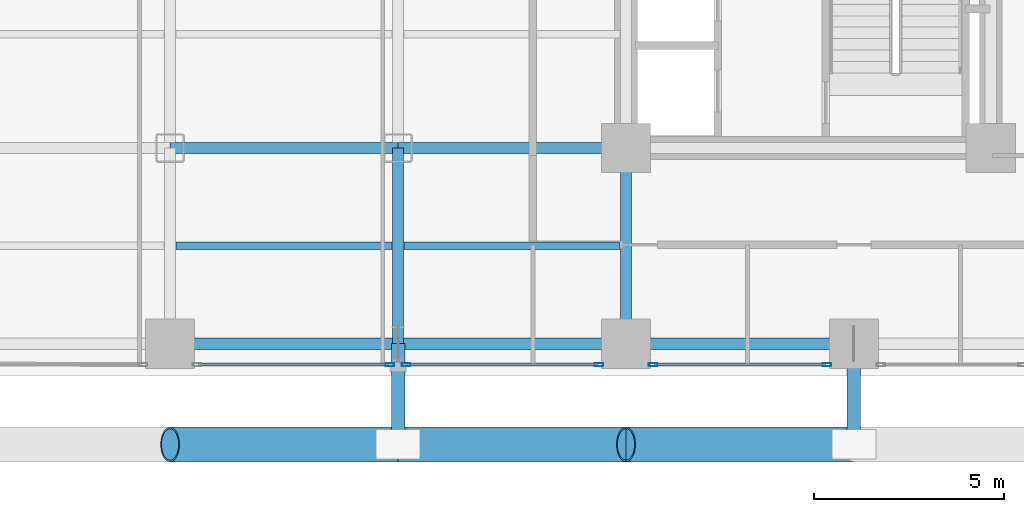
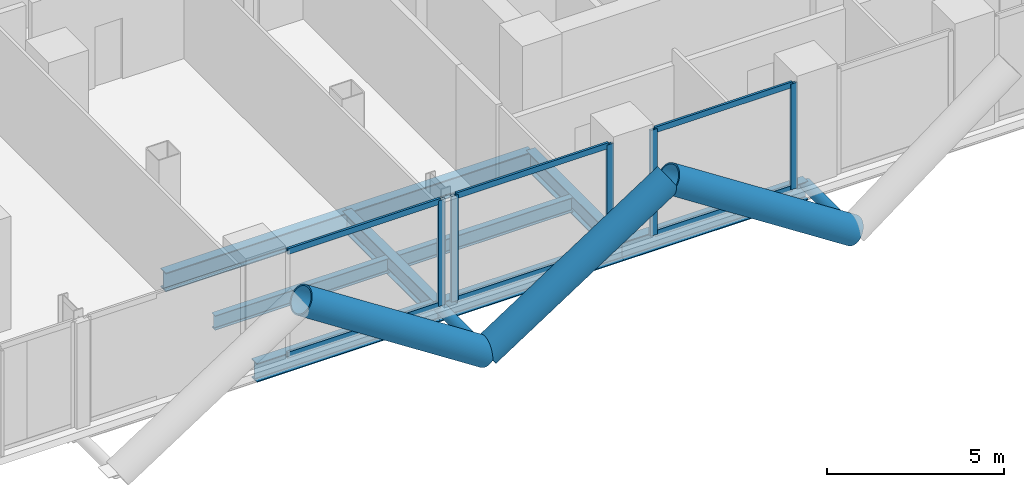
# One storey, part 3 of 27: 16 members, 9 beams, 3 elements without a shape of their own.
"""IFC4 building model written with IfcOpenShell, lengths in metres."""

from ifc_helpers import new_model, si_unit, direction, frame, origin, origin_2d, place, context, subcontext, project, spatial, hollow_rectangle, hollow_circle, i_section, extrude, material, layer, layer_set, material_profile, profile_set, type_object, element, aggregate, save


model = new_model("IFC4")

# Units and contexts
model_context = context("Model", 3, precision=1e-05, world=origin(), true_north=direction((0.0, 1.0)))
body_context = subcontext(model_context, "Body", "Model", "MODEL_VIEW")
ifc_project = project(units=[si_unit("LENGTHUNIT", "METRE"), si_unit("AREAUNIT", "SQUARE_METRE"), si_unit("VOLUMEUNIT", "CUBIC_METRE"), si_unit("PLANEANGLEUNIT", "RADIAN"), si_unit("MASSUNIT", "GRAM", prefix="KILO"), si_unit("THERMODYNAMICTEMPERATUREUNIT", "KELVIN"), si_unit("POWERUNIT", "WATT")], contexts=[model_context])

# Site, building, storey
site_placement = place(None, origin())
site = spatial("IfcSite", under=ifc_project, at=site_placement, CompositionType="ELEMENT")
building_placement = place(site_placement, origin())
building = spatial("IfcBuilding", under=site, at=building_placement, Name="Svarakhadi Broadcast Tower", CompositionType="ELEMENT")
storey_placement = place(building_placement, frame((0.0, 0.0, 87.0)))
storey = spatial("IfcBuildingStorey", under=building, at=storey_placement, Name="L20", CompositionType="ELEMENT", Elevation=87.0)

# Beams
ifc_material_1 = material(Name="Steel S355J2 (IS 2062 E350C)", Category="steel")
ifc_material_profile_1 = material_profile(ifc_material_1, i_section(OverallWidth=0.199951171875, OverallDepth=0.5, WebThickness=0.01025390625, FlangeThickness=0.01611328125, FilletRadius=0.02099609375, at=origin_2d()), Name="NPB 500x200x91")
ifc_profile_set_1 = profile_set([ifc_material_profile_1], Name="Steel S355J2 (IS 2062 E350C)")
beam_type_1 = type_object("IfcBeamType", Name="Beam_NPB500", PredefinedType="BEAM", material=ifc_profile_set_1)
for number, where, z_axis, x_axis, name in (
    (1, (12.159912109375, 3.425048828125, -0.5), (1.0, 0.0, 0.0), (0.0, 1.0, 0.0), "L20 Secondary Composite Beam SB013"),
    (2, (18.159912109375, 3.425048828125, -0.5), (1.0, 0.0, 0.0), (0.0, 1.0, 0.0), "L20 Secondary Composite Beam SB019"),
):
    element("IfcBeam", number, at=place(storey_placement, frame(where, z_axis=z_axis, x_axis=x_axis)), inside=storey, type_object=beam_type_1, Name=name, PredefinedType="BEAM", context=body_context, shape_type="SweptSolid", body=[
        extrude(i_section(OverallWidth=0.199951171875, OverallDepth=0.5, WebThickness=0.01025390625, FlangeThickness=0.01611328125, FilletRadius=0.02099609375, at=origin_2d()), origin(), (0.0, 0.0, 1.0), 5.68017578125),
    ])

# Curtain wall, members
ifc_material_2 = material(Name="Anodised Bronze Aluminium AA 6063-T6", Category="aluminium")
ifc_layer = layer(ifc_material_2, 0.219970703125)
ifc_layer_set = layer_set([ifc_layer], Name="Anodised Bronze Aluminium AA 6063-T6")
curtain_wall_type = type_object("IfcCurtainWallType", Name="CW_Sys_02", PredefinedType="NOTDEFINED", material=ifc_layer_set)
curtain_wall_1_placement = place(storey_placement, origin())
curtain_wall_1 = element("IfcCurtainWall", 3, at=curtain_wall_1_placement, inside=storey, type_object=curtain_wall_type, Name="L20 South Curtain Wall 17 Bay 3", PredefinedType="NOTDEFINED")
ifc_material_profile_2 = material_profile(ifc_material_2, hollow_rectangle(XDim=0.0849609375, YDim=0.219970703125, WallThickness=0.006103515625, at=origin_2d()), Name="ALU MULLION 220x85x6")
ifc_profile_set_2 = profile_set([ifc_material_profile_2], Name="Anodised Bronze Aluminium AA 6063-T6")
member_type_1 = type_object("IfcMemberType", Name="CW_Sys_02_Mul", PredefinedType="MULLION", material=ifc_profile_set_2)
member_1_placement = place(storey_placement, frame((29.28759765625, 0.300048828125, 0.0), z_axis=(0.0, 0.0, 1.0), x_axis=(0.0, -1.0, 0.0)))
member_1 = element("IfcMember", 4, at=member_1_placement, type_object=member_type_1, Name="CW-02 mullion 1", PredefinedType="MULLION", context=body_context, shape_type="SweptSolid", body=[
    extrude(hollow_rectangle(XDim=0.0849609375, YDim=0.219970703125, WallThickness=0.006103515625, at=origin_2d()), origin(), (0.0, 0.0, 1.0), 3.64990234375),
])
member_2_placement = place(storey_placement, frame((24.71240234375, 0.300048828125, 0.0), z_axis=(0.0, 0.0, 1.0), x_axis=(0.0, -1.0, 0.0)))
member_2 = element("IfcMember", 5, at=member_2_placement, type_object=member_type_1, Name="CW-02 mullion 2", PredefinedType="MULLION", context=body_context, shape_type="SweptSolid", body=[
    extrude(hollow_rectangle(XDim=0.0849609375, YDim=0.219970703125, WallThickness=0.006103515625, at=origin_2d()), origin(), (0.0, 0.0, 1.0), 3.64990234375),
])

curtain_wall_2_placement = place(storey_placement, origin())
curtain_wall_2 = element("IfcCurtainWall", 6, at=curtain_wall_2_placement, inside=storey, type_object=curtain_wall_type, Name="L20 South Curtain Wall 17 Bay 4", PredefinedType="NOTDEFINED")
member_3_placement = place(storey_placement, frame((23.28759765625, 0.300048828125, 0.0), z_axis=(0.0, 0.0, 1.0), x_axis=(0.0, -1.0, 0.0)))
member_3 = element("IfcMember", 7, at=member_3_placement, type_object=member_type_1, Name="CW-02 mullion 1", PredefinedType="MULLION", context=body_context, shape_type="SweptSolid", body=[
    extrude(hollow_rectangle(XDim=0.0849609375, YDim=0.219970703125, WallThickness=0.006103515625, at=origin_2d()), origin(), (0.0, 0.0, 1.0), 3.64990234375),
])
member_4_placement = place(storey_placement, frame((18.21240234375, 0.300048828125, 0.0), z_axis=(0.0, 0.0, 1.0), x_axis=(0.0, -1.0, 0.0)))
member_4 = element("IfcMember", 8, at=member_4_placement, type_object=member_type_1, Name="CW-02 mullion 2", PredefinedType="MULLION", context=body_context, shape_type="SweptSolid", body=[
    extrude(hollow_rectangle(XDim=0.0849609375, YDim=0.219970703125, WallThickness=0.006103515625, at=origin_2d()), origin(), (0.0, 0.0, 1.0), 3.64990234375),
])

# Curtain wall, member
curtain_wall_3_placement = place(storey_placement, origin())
curtain_wall_3 = element("IfcCurtainWall", 9, at=curtain_wall_3_placement, inside=storey, type_object=curtain_wall_type, Name="L20 South Curtain Wall 17 Bay 5", PredefinedType="NOTDEFINED")
member_5_placement = place(storey_placement, frame((17.78759765625, 0.300048828125, 0.0), z_axis=(0.0, 0.0, 1.0), x_axis=(0.0, -1.0, 0.0)))
member_5 = element("IfcMember", 10, at=member_5_placement, type_object=member_type_1, Name="CW-02 mullion 1", PredefinedType="MULLION", context=body_context, shape_type="SweptSolid", body=[
    extrude(hollow_rectangle(XDim=0.0849609375, YDim=0.219970703125, WallThickness=0.006103515625, at=origin_2d()), origin(), (0.0, 0.0, 1.0), 3.64990234375),
])

# Member
ifc_material_profile_3 = material_profile(ifc_material_2, hollow_rectangle(XDim=0.074951171875, YDim=0.199951171875, WallThickness=0.0048828125, at=origin_2d()), Name="ALU TRANSOM 200x75x5")
ifc_profile_set_3 = profile_set([ifc_material_profile_3], Name="Anodised Bronze Aluminium AA 6063-T6")
member_type_2 = type_object("IfcMemberType", Name="CW_Sys_02_Trn", PredefinedType="USERDEFINED", material=ifc_profile_set_3)
member_6_placement = place(storey_placement, frame((29.2451171875, 0.300048828125, 0.03759765625), z_axis=(-1.0, 0.0, 0.0), x_axis=(0.0, -1.0, 0.0)))
member_6 = element("IfcMember", 11, at=member_6_placement, type_object=member_type_2, Name="CW-02 transom 1.1", ObjectType="TRANSOM", PredefinedType="USERDEFINED", context=body_context, shape_type="SweptSolid", body=[
    extrude(hollow_rectangle(XDim=0.074951171875, YDim=0.199951171875, WallThickness=0.0048828125, at=origin_2d()), origin(), (0.0, 0.0, 1.0), 4.490234375),
])

member_7_placement = place(storey_placement, frame((29.2451171875, 0.300048828125, 3.612548828125), z_axis=(-1.0, 0.0, 0.0), x_axis=(0.0, -1.0, 0.0)))
member_7 = element("IfcMember", 12, at=member_7_placement, type_object=member_type_2, Name="CW-02 transom 1.2", ObjectType="TRANSOM", PredefinedType="USERDEFINED", context=body_context, shape_type="SweptSolid", body=[
    extrude(hollow_rectangle(XDim=0.074951171875, YDim=0.199951171875, WallThickness=0.0048828125, at=origin_2d()), origin(), (0.0, 0.0, 1.0), 4.490234375),
])

aggregate(curtain_wall_1, [member_1, member_2, member_6, member_7])

member_8_placement = place(storey_placement, frame((23.2451171875, 0.300048828125, 0.03759765625), z_axis=(-1.0, 0.0, 0.0), x_axis=(0.0, -1.0, 0.0)))
member_8 = element("IfcMember", 13, at=member_8_placement, type_object=member_type_2, Name="CW-02 transom 1.1", ObjectType="TRANSOM", PredefinedType="USERDEFINED", context=body_context, shape_type="SweptSolid", body=[
    extrude(hollow_rectangle(XDim=0.074951171875, YDim=0.199951171875, WallThickness=0.0048828125, at=origin_2d()), origin(), (0.0, 0.0, 1.0), 4.990234375),
])

member_9_placement = place(storey_placement, frame((23.2451171875, 0.300048828125, 3.612548828125), z_axis=(-1.0, 0.0, 0.0), x_axis=(0.0, -1.0, 0.0)))
member_9 = element("IfcMember", 14, at=member_9_placement, type_object=member_type_2, Name="CW-02 transom 1.2", ObjectType="TRANSOM", PredefinedType="USERDEFINED", context=body_context, shape_type="SweptSolid", body=[
    extrude(hollow_rectangle(XDim=0.074951171875, YDim=0.199951171875, WallThickness=0.0048828125, at=origin_2d()), origin(), (0.0, 0.0, 1.0), 4.990234375),
])

aggregate(curtain_wall_2, [member_3, member_4, member_8, member_9])

member_10_placement = place(storey_placement, frame((17.7451171875, 0.300048828125, 0.03759765625), z_axis=(-1.0, 0.0, 0.0), x_axis=(0.0, -1.0, 0.0)))
member_10 = element("IfcMember", 15, at=member_10_placement, type_object=member_type_2, Name="CW-02 transom 1.1", ObjectType="TRANSOM", PredefinedType="USERDEFINED", context=body_context, shape_type="SweptSolid", body=[
    extrude(hollow_rectangle(XDim=0.074951171875, YDim=0.199951171875, WallThickness=0.0048828125, at=origin_2d()), origin(), (0.0, 0.0, 1.0), 4.990234375),
])

member_11_placement = place(storey_placement, frame((17.7451171875, 0.300048828125, 3.612548828125), z_axis=(-1.0, 0.0, 0.0), x_axis=(0.0, -1.0, 0.0)))
member_11 = element("IfcMember", 16, at=member_11_placement, type_object=member_type_2, Name="CW-02 transom 1.2", ObjectType="TRANSOM", PredefinedType="USERDEFINED", context=body_context, shape_type="SweptSolid", body=[
    extrude(hollow_rectangle(XDim=0.074951171875, YDim=0.199951171875, WallThickness=0.0048828125, at=origin_2d()), origin(), (0.0, 0.0, 1.0), 4.990234375),
])

aggregate(curtain_wall_3, [member_5, member_10, member_11])

# Members
ifc_material_3 = material(Name="Steel S460ML (IS 2062 E450BR)", Category="steel")
ifc_material_profile_4 = material_profile(ifc_material_3, hollow_circle(Radius=0.45703125, WallThickness=0.044921875, at=origin_2d()), Name="CHS 914x45")
ifc_profile_set_4 = profile_set([ifc_material_profile_4], Name="Steel S460ML (IS 2062 E450BR)")
member_type_3 = type_object("IfcMemberType", Name="Exo_Brace_CHS914", PredefinedType="BRACE", material=ifc_profile_set_4)
for number, where, z_axis, x_axis, name in (
    (17, (18.0, -1.800048828125, -0.427734375), (-0.838449851971, 0.0, 0.544978757136), (0.0, -1.0, 0.0), "L20 Exposed Bronze Exoskeleton Diagonal S02"),
    (18, (18.0, -1.800048828125, -0.427734375), (0.838449851971, 0.0, 0.544978757136), (0.0, 1.0, 0.0), "L20 Exposed Bronze Exoskeleton Diagonal S03"),
    (19, (30.0, -1.800048828125, -0.427734375), (-0.838449851971, 0.0, 0.544978757136), (0.0, -1.0, 0.0), "L20 Exposed Bronze Exoskeleton Diagonal S04"),
):
    element("IfcMember", number, at=place(storey_placement, frame(where, z_axis=z_axis, x_axis=x_axis)), inside=storey, type_object=member_type_3, Name=name, PredefinedType="BRACE", context=body_context, shape_type="SweptSolid", body=[
        extrude(hollow_circle(Radius=0.45703125, WallThickness=0.044921875, at=origin_2d()), origin(), (0.0, 0.0, 1.0), 7.156005859375),
    ])
ifc_material_profile_5 = material_profile(ifc_material_3, hollow_circle(Radius=0.177734375, WallThickness=0.02001953125, at=origin_2d()), Name="CHS 355.6x20")
ifc_profile_set_5 = profile_set([ifc_material_profile_5], Name="Steel S460ML (IS 2062 E450BR)")
member_type_4 = type_object("IfcMemberType", Name="Exo_Radial_Strut_Z1", PredefinedType="STRUT", material=ifc_profile_set_5)
for number, where, z_axis, x_axis, name in (
    (20, (18.0, -1.800048828125, -0.427734375), (0.0, 1.0, 0.0), (-1.0, 0.0, 0.0), "L20 Exoskeleton Radial Tie Strut S02"),
    (21, (30.0, -1.800048828125, -0.427734375), (0.0, 1.0, 0.0), (-1.0, 0.0, 0.0), "L20 Exoskeleton Radial Tie Strut S03"),
):
    element("IfcMember", number, at=place(storey_placement, frame(where, z_axis=z_axis, x_axis=x_axis)), inside=storey, type_object=member_type_4, Name=name, PredefinedType="STRUT", context=body_context, shape_type="SweptSolid", body=[
        extrude(hollow_circle(Radius=0.177734375, WallThickness=0.02001953125, at=origin_2d()), origin(), (0.0, 0.0, 1.0), 2.650146484375),
    ])

# Beams
ifc_material_profile_6 = material_profile(ifc_material_1, i_section(OverallWidth=0.300048828125, OverallDepth=0.64990234375, WebThickness=0.01611328125, FlangeThickness=0.031005859375, FilletRadius=0.027099609375, at=origin_2d()), Name="WPB 650x300x225")
ifc_profile_set_6 = profile_set([ifc_material_profile_6], Name="Steel S355J2 (IS 2062 E350C)")
beam_type_2 = type_object("IfcBeamType", Name="Girder_WPB650", PredefinedType="USERDEFINED", material=ifc_profile_set_6)
for number, where, z_axis, x_axis, name in (
    (22, (12.0, 0.85009765625, -0.574951171875), (1.0, 0.0, 0.0), (0.0, 1.0, 0.0), "L20 Primary E-W Girder G005"),
    (23, (18.0, 0.85009765625, -0.574951171875), (1.0, 0.0, 0.0), (0.0, 1.0, 0.0), "L20 Primary E-W Girder G006"),
    (24, (24.0, 0.85009765625, -0.574951171875), (1.0, 0.0, 0.0), (0.0, 1.0, 0.0), "L20 Primary E-W Girder G007"),
    (25, (12.0, 6.0, -0.574951171875), (1.0, 0.0, 0.0), (0.0, 1.0, 0.0), "L20 Primary E-W Girder G013"),
    (26, (18.0, 6.0, -0.574951171875), (1.0, 0.0, 0.0), (0.0, 1.0, 0.0), "L20 Primary E-W Girder G014"),
):
    element("IfcBeam", number, at=place(storey_placement, frame(where, z_axis=z_axis, x_axis=x_axis)), inside=storey, type_object=beam_type_2, Name=name, ObjectType="GIRDER", PredefinedType="USERDEFINED", context=body_context, shape_type="SweptSolid", body=[
        extrude(i_section(OverallWidth=0.300048828125, OverallDepth=0.64990234375, WebThickness=0.01611328125, FlangeThickness=0.031005859375, FilletRadius=0.027099609375, at=origin_2d()), origin(), (0.0, 0.0, 1.0), 6.0),
    ])
for number, where, z_axis, x_axis, name in (
    (27, (18.0, 0.85009765625, -0.574951171875), (0.0, 1.0, 0.0), (-1.0, 0.0, 0.0), "L20 Primary N-S Girder G064"),
    (28, (24.0, 0.85009765625, -0.574951171875), (0.0, 1.0, 0.0), (-1.0, 0.0, 0.0), "L20 Primary N-S Girder G071"),
):
    element("IfcBeam", number, at=place(storey_placement, frame(where, z_axis=z_axis, x_axis=x_axis)), inside=storey, type_object=beam_type_2, Name=name, ObjectType="GIRDER", PredefinedType="USERDEFINED", context=body_context, shape_type="SweptSolid", body=[
        extrude(i_section(OverallWidth=0.300048828125, OverallDepth=0.64990234375, WebThickness=0.01611328125, FlangeThickness=0.031005859375, FilletRadius=0.027099609375, at=origin_2d()), origin(), (0.0, 0.0, 1.0), 5.14990234375),
    ])

save(model, "model.ifc")
